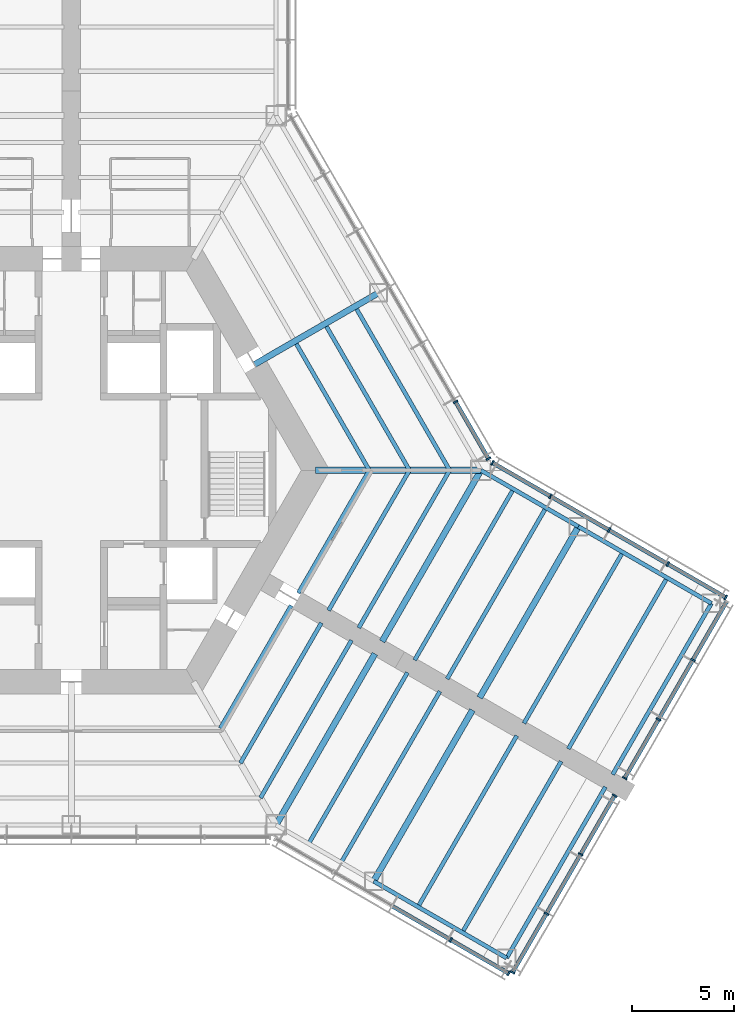
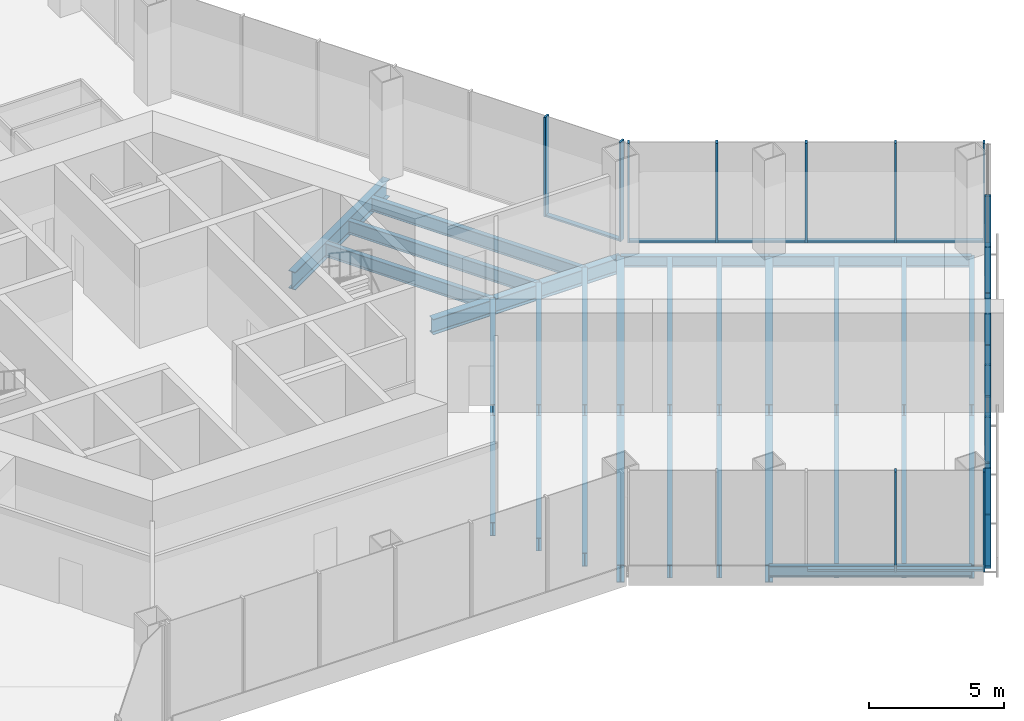
# One storey, part 4 of 13: 29 members, 28 beams, 5 elements without a shape of their own.
"""IFC4 building model written with IfcOpenShell, lengths in metres."""

from ifc_helpers import new_model, si_unit, direction, frame, origin, origin_2d, place, context, subcontext, project, spatial, rectangle, i_section, extrude, material, material_profile, profile_set, type_object, element, aggregate, save


model = new_model("IFC4")

# Units and contexts
model_context = context("Model", 3, precision=1e-05, world=origin(), true_north=direction((0.0, 1.0)))
body_context = subcontext(model_context, "Body", "Model", "MODEL_VIEW")
ifc_project = project(units=[si_unit("LENGTHUNIT", "METRE"), si_unit("AREAUNIT", "SQUARE_METRE"), si_unit("VOLUMEUNIT", "CUBIC_METRE"), si_unit("PLANEANGLEUNIT", "RADIAN"), si_unit("MASSUNIT", "GRAM", prefix="KILO")], contexts=[model_context])

# Site, building, storey
site_placement = place(None, origin())
site = spatial("IfcSite", under=ifc_project, at=site_placement, CompositionType="ELEMENT")
building_placement = place(site_placement, origin())
building = spatial("IfcBuilding", under=site, at=building_placement, Name="Kasaneha Research Tower", CompositionType="ELEMENT")
storey_placement = place(building_placement, frame((0.0, 0.0, 5.5)))
storey = spatial("IfcBuildingStorey", under=building, at=storey_placement, Name="L02", CompositionType="ELEMENT", Elevation=5.5)

# Beams
ifc_material_1 = material(Name="Steel SN490B", Category="steel")
ifc_material_profile_1 = material_profile(ifc_material_1, i_section(OverallWidth=0.199951171875, OverallDepth=0.60009765625, WebThickness=0.010986328125, FlangeThickness=0.01708984375, FilletRadius=0.012939453125, at=origin_2d()), Name="H-600x200x11x17")
ifc_profile_set_1 = profile_set([ifc_material_profile_1], Name="Steel SN490B")
beam_type_1 = type_object("IfcBeamType", Name="B1-1 secondary beam H-600x200x11x17", PredefinedType="JOIST", material=ifc_profile_set_1)
beam_1_placement = place(storey_placement, frame((14.54931640625, 0.0, -0.5), z_axis=(-0.500016104636, 0.866016105569, 0.0), x_axis=(-0.866016105569, -0.500016104636, 0.0)))
element("IfcBeam", 1, at=beam_1_placement, inside=storey, type_object=beam_type_1, Name="Secondary beam RS030L1 L02", PredefinedType="JOIST", context=body_context, shape_type="SweptSolid", body=[
    extrude(i_section(OverallWidth=0.199951171875, OverallDepth=0.60009765625, WebThickness=0.010986328125, FlangeThickness=0.01708984375, FilletRadius=0.012939453125, at=origin_2d()), origin(), (0.0, 0.0, 1.0), 7.124755859375),
])
beam_2_placement = place(storey_placement, frame((16.51220703125, 0.0, -0.5), z_axis=(-0.49999707157, 0.866027094508, 0.0), x_axis=(-0.866027094508, -0.49999707157, 0.0)))
element("IfcBeam", 2, at=beam_2_placement, inside=storey, type_object=beam_type_1, Name="Secondary beam RS030L2 L02", PredefinedType="JOIST", context=body_context, shape_type="SweptSolid", body=[
    extrude(i_section(OverallWidth=0.199951171875, OverallDepth=0.60009765625, WebThickness=0.010986328125, FlangeThickness=0.01708984375, FilletRadius=0.012939453125, at=origin_2d()), origin(), (0.0, 0.0, 1.0), 8.10595703125),
])
beam_3_placement = place(storey_placement, frame((18.47509765625, 0.0, -0.5), z_axis=(-0.499990665392, 0.866030793056, 0.0), x_axis=(-0.866030793056, -0.499990665392, 0.0)))
element("IfcBeam", 3, at=beam_3_placement, inside=storey, type_object=beam_type_1, Name="Secondary beam RS030L3 L02", PredefinedType="JOIST", context=body_context, shape_type="SweptSolid", body=[
    extrude(i_section(OverallWidth=0.199951171875, OverallDepth=0.60009765625, WebThickness=0.010986328125, FlangeThickness=0.01708984375, FilletRadius=0.012939453125, at=origin_2d()), origin(), (0.0, 0.0, 1.0), 9.087646484375),
])
beam_4_placement = place(storey_placement, frame((7.274658203125, -12.60009765625, -0.5), z_axis=(0.499972710878, 0.866041158593, 0.0), x_axis=(-0.866041158593, 0.499972710878, 0.0)))
element("IfcBeam", 4, at=beam_4_placement, inside=storey, type_object=beam_type_1, Name="Secondary beam RS330L1 L02", PredefinedType="JOIST", context=body_context, shape_type="SweptSolid", body=[
    extrude(i_section(OverallWidth=0.199951171875, OverallDepth=0.60009765625, WebThickness=0.010986328125, FlangeThickness=0.01708984375, FilletRadius=0.012939453125, at=origin_2d()), origin(), (0.0, 0.0, 1.0), 6.9248046875),
])
beam_5_placement = place(storey_placement, frame((8.256103515625, -14.300048828125, -0.5), z_axis=(0.500004902938, 0.866022573054, 0.0), x_axis=(-0.866022573054, 0.500004902938, 0.0)))
element("IfcBeam", 5, at=beam_5_placement, inside=storey, type_object=beam_type_1, Name="Secondary beam RS330L2 L02", PredefinedType="JOIST", context=body_context, shape_type="SweptSolid", body=[
    extrude(i_section(OverallWidth=0.199951171875, OverallDepth=0.60009765625, WebThickness=0.010986328125, FlangeThickness=0.01708984375, FilletRadius=0.012939453125, at=origin_2d()), origin(), (0.0, 0.0, 1.0), 7.90625),
])
beam_6_placement = place(storey_placement, frame((9.237548828125, -16.0, -0.5), z_axis=(0.500009382636, 0.866019986649, 0.0), x_axis=(-0.866019986649, 0.500009382636, 0.0)))
element("IfcBeam", 6, at=beam_6_placement, inside=storey, type_object=beam_type_1, Name="Secondary beam RS330L3 L02", PredefinedType="JOIST", context=body_context, shape_type="SweptSolid", body=[
    extrude(i_section(OverallWidth=0.199951171875, OverallDepth=0.60009765625, WebThickness=0.010986328125, FlangeThickness=0.01708984375, FilletRadius=0.012939453125, at=origin_2d()), origin(), (0.0, 0.0, 1.0), 8.887451171875),
])
beam_7_placement = place(storey_placement, frame((14.54931640625, 0.0, -0.5), z_axis=(-0.500014420154, -0.866017078145, 0.0), x_axis=(0.866017078145, -0.500014420154, 0.0)))
element("IfcBeam", 7, at=beam_7_placement, inside=storey, type_object=beam_type_1, Name="Secondary beam RS330R1 L02", PredefinedType="JOIST", context=body_context, shape_type="SweptSolid", body=[
    extrude(i_section(OverallWidth=0.199951171875, OverallDepth=0.60009765625, WebThickness=0.010986328125, FlangeThickness=0.01708984375, FilletRadius=0.012939453125, at=origin_2d()), origin(), (0.0, 0.0, 1.0), 6.924560546875),
])
beam_8_placement = place(storey_placement, frame((16.51220703125, 0.0, -0.5), z_axis=(-0.500004902938, -0.866022573054, 0.0), x_axis=(0.866022573054, -0.500004902938, 0.0)))
element("IfcBeam", 8, at=beam_8_placement, inside=storey, type_object=beam_type_1, Name="Secondary beam RS330R2 L02", PredefinedType="JOIST", context=body_context, shape_type="SweptSolid", body=[
    extrude(i_section(OverallWidth=0.199951171875, OverallDepth=0.60009765625, WebThickness=0.010986328125, FlangeThickness=0.01708984375, FilletRadius=0.012939453125, at=origin_2d()), origin(), (0.0, 0.0, 1.0), 7.90625),
])
beam_9_placement = place(storey_placement, frame((18.47509765625, 0.0, -0.5), z_axis=(-0.499988779951, -0.866031881586, 0.0), x_axis=(0.866031881586, -0.499988779951, 0.0)))
element("IfcBeam", 9, at=beam_9_placement, inside=storey, type_object=beam_type_1, Name="Secondary beam RS330R3 L02", PredefinedType="JOIST", context=body_context, shape_type="SweptSolid", body=[
    extrude(i_section(OverallWidth=0.199951171875, OverallDepth=0.60009765625, WebThickness=0.010986328125, FlangeThickness=0.01708984375, FilletRadius=0.012939453125, at=origin_2d()), origin(), (0.0, 0.0, 1.0), 8.887451171875),
])
ifc_material_2 = material(Name="Steel SN490B", Category="steel")
ifc_material_profile_2 = material_profile(ifc_material_2, i_section(OverallWidth=0.198974609375, OverallDepth=0.595947265625, WebThickness=0.010009765625, FlangeThickness=0.014892578125, FilletRadius=0.012939453125, at=origin_2d()), Name="H-596x199x10x15")
ifc_profile_set_2 = profile_set([ifc_material_profile_2], Name="Steel SN490B")
beam_type_2 = type_object("IfcBeamType", Name="B2-1 secondary beam H-596x199x10x15", PredefinedType="JOIST", material=ifc_profile_set_2)
for number, where, z_axis, x_axis, name in (
    (10, (11.587646484375, -18.237060546875, -0.498046875), (0.50000569793, 0.866022114058, 0.0), (-0.866022114058, 0.50000569793, 0.0), "Secondary beam WBCP1 L02"),
    (11, (13.175537109375, -19.15380859375, -0.498046875), (0.499994742786, 0.866028439017, 0.0), (-0.866028439017, 0.499994742786, 0.0), "Secondary beam WBCP2 L02"),
    (12, (16.92822265625, -21.320556640625, -0.498046875), (0.499994742786, 0.866028439017, 0.0), (-0.866028439017, 0.499994742786, 0.0), "Secondary beam WBCP3 L02"),
    (13, (19.09326171875, -22.570556640625, -0.498046875), (0.499994742786, 0.866028439017, 0.0), (-0.866028439017, 0.499994742786, 0.0), "Secondary beam WBCP4 L02"),
    (14, (21.587646484375, -0.916748046875, -0.498046875), (-0.499994742786, -0.866028439017, 0.0), (0.866028439017, -0.499994742786, 0.0), "Secondary beam WBCN1 L02"),
):
    element("IfcBeam", number, at=place(storey_placement, frame(where, z_axis=z_axis, x_axis=x_axis)), inside=storey, type_object=beam_type_2, Name=name, PredefinedType="JOIST", context=body_context, shape_type="SweptSolid", body=[
        extrude(i_section(OverallWidth=0.198974609375, OverallDepth=0.595947265625, WebThickness=0.010009765625, FlangeThickness=0.014892578125, FilletRadius=0.012939453125, at=origin_2d()), origin(), (0.0, 0.0, 1.0), 9.64990234375),
    ])
beam_10_placement = place(storey_placement, frame((23.175537109375, -1.833251953125, -0.498046875), z_axis=(-0.500013717211, -0.866017484004, 0.0), x_axis=(0.866017484004, -0.500013717211, 0.0)))
element("IfcBeam", 15, at=beam_10_placement, inside=storey, type_object=beam_type_2, Name="Secondary beam WBCN2 L02", PredefinedType="JOIST", context=body_context, shape_type="SweptSolid", body=[
    extrude(i_section(OverallWidth=0.198974609375, OverallDepth=0.595947265625, WebThickness=0.010009765625, FlangeThickness=0.014892578125, FilletRadius=0.012939453125, at=origin_2d()), origin(), (0.0, 0.0, 1.0), 9.650146484375),
])
for number, where, z_axis, x_axis, name in (
    (16, (26.92822265625, -4.0, -0.498046875), (-0.499994742786, -0.866028439017, 0.0), (0.866028439017, -0.499994742786, 0.0), "Secondary beam WBCN3 L02"),
    (17, (29.09326171875, -5.25, -0.498046875), (-0.499994742786, -0.866028439017, 0.0), (0.866028439017, -0.499994742786, 0.0), "Secondary beam WBCN4 L02"),
):
    element("IfcBeam", number, at=place(storey_placement, frame(where, z_axis=z_axis, x_axis=x_axis)), inside=storey, type_object=beam_type_2, Name=name, PredefinedType="JOIST", context=body_context, shape_type="SweptSolid", body=[
        extrude(i_section(OverallWidth=0.198974609375, OverallDepth=0.595947265625, WebThickness=0.010009765625, FlangeThickness=0.014892578125, FilletRadius=0.012939453125, at=origin_2d()), origin(), (0.0, 0.0, 1.0), 9.64990234375),
    ])

# Curtain wall, members
ifc_material_3 = material(Name="Glass and aluminium", Category="aluminium")
curtain_wall_type = type_object("IfcCurtainWallType", Name="Entrance hall curtain wall", PredefinedType="USERDEFINED", material=ifc_material_3)
curtain_wall_1_placement = place(storey_placement, origin())
curtain_wall_1 = element("IfcCurtainWall", 18, at=curtain_wall_1_placement, inside=storey, type_object=curtain_wall_type, Name="CW-H L02 run 03a", ObjectType="UNITISED CURTAIN WALL", PredefinedType="USERDEFINED")
ifc_material_4 = material(Name="Aluminium 6063-T6", Category="aluminium")
ifc_material_profile_3 = material_profile(ifc_material_4, rectangle(XDim=0.080078125, YDim=0.25, at=origin_2d()), Name="CW-H mullion 80x250")
ifc_profile_set_3 = profile_set([ifc_material_profile_3], Name="Aluminium 6063-T6")
member_type_1 = type_object("IfcMemberType", Name="CW-H mullion", PredefinedType="MULLION", material=ifc_profile_set_3)
member_1_placement = place(storey_placement, frame((18.52490234375, -22.935302734375, 0.0), z_axis=(0.0, 0.0, 1.0), x_axis=(0.866025411464, -0.499999986699, 0.0)))
member_1 = element("IfcMember", 19, at=member_1_placement, type_object=member_type_1, Name="CW-H mullion 4", PredefinedType="MULLION", context=body_context, shape_type="SweptSolid", body=[
    extrude(rectangle(XDim=0.080078125, YDim=0.25, at=origin_2d()), origin(), (0.0, 0.0, 1.0), 4.5),
])
member_2_placement = place(storey_placement, frame((21.356689453125, -24.570068359375, 0.0), z_axis=(0.0, 0.0, 1.0), x_axis=(0.866025411464, -0.499999986699, 0.0)))
member_2 = element("IfcMember", 20, at=member_2_placement, type_object=member_type_1, Name="CW-H mullion 5", PredefinedType="MULLION", context=body_context, shape_type="SweptSolid", body=[
    extrude(rectangle(XDim=0.080078125, YDim=0.25, at=origin_2d()), origin(), (0.0, 0.0, 1.0), 4.5),
])

curtain_wall_2_placement = place(storey_placement, origin())
curtain_wall_2 = element("IfcCurtainWall", 21, at=curtain_wall_2_placement, inside=storey, type_object=curtain_wall_type, Name="CW-H L02 run 04a", ObjectType="UNITISED CURTAIN WALL", PredefinedType="USERDEFINED")
member_3_placement = place(storey_placement, frame((21.5478515625, -24.518798828125, 0.0), z_axis=(0.0, 0.0, 1.0), x_axis=(0.500000011442, 0.866025397178, 0.0)))
member_3 = element("IfcMember", 22, at=member_3_placement, type_object=member_type_1, Name="CW-H mullion 1", PredefinedType="MULLION", context=body_context, shape_type="SweptSolid", body=[
    extrude(rectangle(XDim=0.080078125, YDim=0.25, at=origin_2d()), origin(), (0.0, 0.0, 1.0), 4.5),
])
member_4_placement = place(storey_placement, frame((23.202880859375, -21.65234375, 0.0), z_axis=(0.0, 0.0, 1.0), x_axis=(0.500000011442, 0.866025397178, 0.0)))
member_4 = element("IfcMember", 23, at=member_4_placement, type_object=member_type_1, Name="CW-H mullion 2", PredefinedType="MULLION", context=body_context, shape_type="SweptSolid", body=[
    extrude(rectangle(XDim=0.080078125, YDim=0.25, at=origin_2d()), origin(), (0.0, 0.0, 1.0), 4.5),
])
member_5_placement = place(storey_placement, frame((24.8779296875, -18.751220703125, 0.0), z_axis=(0.0, 0.0, 1.0), x_axis=(0.500000011442, 0.866025397178, 0.0)))
member_5 = element("IfcMember", 24, at=member_5_placement, type_object=member_type_1, Name="CW-H mullion 3", PredefinedType="MULLION", context=body_context, shape_type="SweptSolid", body=[
    extrude(rectangle(XDim=0.080078125, YDim=0.25, at=origin_2d()), origin(), (0.0, 0.0, 1.0), 4.5),
])
member_6_placement = place(storey_placement, frame((26.532958984375, -15.884521484375, 0.0), z_axis=(0.0, 0.0, 1.0), x_axis=(0.500000011442, 0.866025397178, 0.0)))
member_6 = element("IfcMember", 25, at=member_6_placement, type_object=member_type_1, Name="CW-H mullion 4", PredefinedType="MULLION", context=body_context, shape_type="SweptSolid", body=[
    extrude(rectangle(XDim=0.080078125, YDim=0.25, at=origin_2d()), origin(), (0.0, 0.0, 1.0), 4.5),
])

curtain_wall_3_placement = place(storey_placement, origin())
curtain_wall_3 = element("IfcCurtainWall", 26, at=curtain_wall_3_placement, inside=storey, type_object=curtain_wall_type, Name="CW-H L02 run 05a", ObjectType="UNITISED CURTAIN WALL", PredefinedType="USERDEFINED")
member_7_placement = place(storey_placement, frame((27.02294921875, -15.035888671875, 0.0), z_axis=(0.0, 0.0, 1.0), x_axis=(0.500000011442, 0.866025397178, 0.0)))
member_7 = element("IfcMember", 27, at=member_7_placement, type_object=member_type_1, Name="CW-H mullion 1", PredefinedType="MULLION", context=body_context, shape_type="SweptSolid", body=[
    extrude(rectangle(XDim=0.080078125, YDim=0.25, at=origin_2d()), origin(), (0.0, 0.0, 1.0), 4.5),
])
member_8_placement = place(storey_placement, frame((28.677978515625, -12.16943359375, 0.0), z_axis=(0.0, 0.0, 1.0), x_axis=(0.500000011442, 0.866025397178, 0.0)))
member_8 = element("IfcMember", 28, at=member_8_placement, type_object=member_type_1, Name="CW-H mullion 2", PredefinedType="MULLION", context=body_context, shape_type="SweptSolid", body=[
    extrude(rectangle(XDim=0.080078125, YDim=0.25, at=origin_2d()), origin(), (0.0, 0.0, 1.0), 4.5),
])
member_9_placement = place(storey_placement, frame((30.35302734375, -9.26806640625, 0.0), z_axis=(0.0, 0.0, 1.0), x_axis=(0.500000011442, 0.866025397178, 0.0)))
member_9 = element("IfcMember", 29, at=member_9_placement, type_object=member_type_1, Name="CW-H mullion 3", PredefinedType="MULLION", context=body_context, shape_type="SweptSolid", body=[
    extrude(rectangle(XDim=0.080078125, YDim=0.25, at=origin_2d()), origin(), (0.0, 0.0, 1.0), 4.5),
])

curtain_wall_4_placement = place(storey_placement, origin())
curtain_wall_4 = element("IfcCurtainWall", 30, at=curtain_wall_4_placement, inside=storey, type_object=curtain_wall_type, Name="CW-H L02 run 06a", ObjectType="UNITISED CURTAIN WALL", PredefinedType="USERDEFINED")
member_10_placement = place(storey_placement, frame((31.956787109375, -6.21044921875, 0.0), z_axis=(0.0, 0.0, 1.0), x_axis=(-0.866025411464, 0.499999986699, 0.0)))
member_10 = element("IfcMember", 31, at=member_10_placement, type_object=member_type_1, Name="CW-H mullion 1", PredefinedType="MULLION", context=body_context, shape_type="SweptSolid", body=[
    extrude(rectangle(XDim=0.080078125, YDim=0.25, at=origin_2d()), origin(), (0.0, 0.0, 1.0), 4.5),
])
member_11_placement = place(storey_placement, frame((29.125, -4.575439453125, 0.0), z_axis=(0.0, 0.0, 1.0), x_axis=(-0.866025411464, 0.499999986699, 0.0)))
member_11 = element("IfcMember", 32, at=member_11_placement, type_object=member_type_1, Name="CW-H mullion 2", PredefinedType="MULLION", context=body_context, shape_type="SweptSolid", body=[
    extrude(rectangle(XDim=0.080078125, YDim=0.25, at=origin_2d()), origin(), (0.0, 0.0, 1.0), 4.5),
])
member_12_placement = place(storey_placement, frame((26.258544921875, -2.920654296875, 0.0), z_axis=(0.0, 0.0, 1.0), x_axis=(-0.866025411464, 0.499999986699, 0.0)))
member_12 = element("IfcMember", 33, at=member_12_placement, type_object=member_type_1, Name="CW-H mullion 3", PredefinedType="MULLION", context=body_context, shape_type="SweptSolid", body=[
    extrude(rectangle(XDim=0.080078125, YDim=0.25, at=origin_2d()), origin(), (0.0, 0.0, 1.0), 4.5),
])
member_13_placement = place(storey_placement, frame((23.39208984375, -1.265625, 0.0), z_axis=(0.0, 0.0, 1.0), x_axis=(-0.866025411464, 0.499999986699, 0.0)))
member_13 = element("IfcMember", 34, at=member_13_placement, type_object=member_type_1, Name="CW-H mullion 4", PredefinedType="MULLION", context=body_context, shape_type="SweptSolid", body=[
    extrude(rectangle(XDim=0.080078125, YDim=0.25, at=origin_2d()), origin(), (0.0, 0.0, 1.0), 4.5),
])
member_14_placement = place(storey_placement, frame((20.560546875, 0.369140625, 0.0), z_axis=(0.0, 0.0, 1.0), x_axis=(-0.866025411464, 0.499999986699, 0.0)))
member_14 = element("IfcMember", 35, at=member_14_placement, type_object=member_type_1, Name="CW-H mullion 5", PredefinedType="MULLION", context=body_context, shape_type="SweptSolid", body=[
    extrude(rectangle(XDim=0.080078125, YDim=0.25, at=origin_2d()), origin(), (0.0, 0.0, 1.0), 4.5),
])

curtain_wall_5_placement = place(storey_placement, origin())
curtain_wall_5 = element("IfcCurtainWall", 36, at=curtain_wall_5_placement, inside=storey, type_object=curtain_wall_type, Name="CW-H L02 run 07a", ObjectType="UNITISED CURTAIN WALL", PredefinedType="USERDEFINED")
member_15_placement = place(storey_placement, frame((20.369140625, 0.560546875, 0.0), z_axis=(0.0, 0.0, 1.0), x_axis=(-0.49999996188, 0.866025425793, 0.0)))
member_15 = element("IfcMember", 37, at=member_15_placement, type_object=member_type_1, Name="CW-H mullion 1", PredefinedType="MULLION", context=body_context, shape_type="SweptSolid", body=[
    extrude(rectangle(XDim=0.080078125, YDim=0.25, at=origin_2d()), origin(), (0.0, 0.0, 1.0), 4.5),
])
member_16_placement = place(storey_placement, frame((18.76611328125, 3.33740234375, 0.0), z_axis=(0.0, 0.0, 1.0), x_axis=(-0.49999996188, 0.866025425793, 0.0)))
member_16 = element("IfcMember", 38, at=member_16_placement, type_object=member_type_1, Name="CW-H mullion 2", PredefinedType="MULLION", context=body_context, shape_type="SweptSolid", body=[
    extrude(rectangle(XDim=0.080078125, YDim=0.25, at=origin_2d()), origin(), (0.0, 0.0, 1.0), 4.5),
])

# Member
ifc_material_5 = material(Name="Aluminium 6063-T6", Category="aluminium")
ifc_material_profile_4 = material_profile(ifc_material_5, rectangle(XDim=0.199951171875, YDim=0.080078125, at=origin_2d()), Name="CW-H transom 200x80")
ifc_profile_set_4 = profile_set([ifc_material_profile_4], Name="Aluminium 6063-T6")
member_type_2 = type_object("IfcMemberType", Name="CW-H transom", PredefinedType="USERDEFINED", material=ifc_profile_set_4)
member_17_placement = place(storey_placement, frame((15.693115234375, -21.30029296875, 0.0400390625), z_axis=(0.866015650984, -0.500016891966, 0.0), x_axis=(0.500016891966, 0.866015650984, 0.0)))
member_17 = element("IfcMember", 39, at=member_17_placement, type_object=member_type_2, Name="CW-H transom 3", ObjectType="TRANSOM", PredefinedType="USERDEFINED", context=body_context, shape_type="SweptSolid", body=[
    extrude(rectangle(XDim=0.199951171875, YDim=0.080078125, at=origin_2d()), origin(), (0.0, 0.0, 1.0), 3.22998046875),
])

member_18_placement = place(storey_placement, frame((18.5595703125, -22.955322265625, 0.0400390625), z_axis=(0.866049209109, -0.499958765701, 0.0), x_axis=(0.499958765701, 0.866049209109, 0.0)))
member_18 = element("IfcMember", 40, at=member_18_placement, type_object=member_type_2, Name="CW-H transom 4", ObjectType="TRANSOM", PredefinedType="USERDEFINED", context=body_context, shape_type="SweptSolid", body=[
    extrude(rectangle(XDim=0.199951171875, YDim=0.080078125, at=origin_2d()), origin(), (0.0, 0.0, 1.0), 3.189697265625),
])

aggregate(curtain_wall_1, [member_1, member_2, member_17, member_18])

member_19_placement = place(storey_placement, frame((21.56787109375, -24.484130859375, 0.0400390625), z_axis=(0.500016891966, 0.866015650984, 0.0), x_axis=(-0.866015650984, 0.500016891966, 0.0)))
member_19 = element("IfcMember", 41, at=member_19_placement, type_object=member_type_2, Name="CW-H transom 1", ObjectType="TRANSOM", PredefinedType="USERDEFINED", context=body_context, shape_type="SweptSolid", body=[
    extrude(rectangle(XDim=0.199951171875, YDim=0.080078125, at=origin_2d()), origin(), (0.0, 0.0, 1.0), 3.22998046875),
])

member_20_placement = place(storey_placement, frame((23.222900390625, -21.61767578125, 0.0400390625), z_axis=(0.500017595764, 0.866015244627, 0.0), x_axis=(-0.866015244627, 0.500017595764, 0.0)))
member_20 = element("IfcMember", 42, at=member_20_placement, type_object=member_type_2, Name="CW-H transom 2", ObjectType="TRANSOM", PredefinedType="USERDEFINED", context=body_context, shape_type="SweptSolid", body=[
    extrude(rectangle(XDim=0.199951171875, YDim=0.080078125, at=origin_2d()), origin(), (0.0, 0.0, 1.0), 3.27001953125),
])

member_21_placement = place(storey_placement, frame((24.89794921875, -18.716552734375, 0.0400390625), z_axis=(0.499984162302, 0.866034547491, 0.0), x_axis=(-0.866034547491, 0.499984162302, 0.0)))
member_21 = element("IfcMember", 43, at=member_21_placement, type_object=member_type_2, Name="CW-H transom 3", ObjectType="TRANSOM", PredefinedType="USERDEFINED", context=body_context, shape_type="SweptSolid", body=[
    extrude(rectangle(XDim=0.199951171875, YDim=0.080078125, at=origin_2d()), origin(), (0.0, 0.0, 1.0), 3.22998046875),
])

aggregate(curtain_wall_2, [member_3, member_4, member_5, member_6, member_19, member_20, member_21])

member_22_placement = place(storey_placement, frame((27.04296875, -15.001220703125, 0.0400390625), z_axis=(0.500016891966, 0.866015650984, 0.0), x_axis=(-0.866015650984, 0.500016891966, 0.0)))
member_22 = element("IfcMember", 44, at=member_22_placement, type_object=member_type_2, Name="CW-H transom 1", ObjectType="TRANSOM", PredefinedType="USERDEFINED", context=body_context, shape_type="SweptSolid", body=[
    extrude(rectangle(XDim=0.199951171875, YDim=0.080078125, at=origin_2d()), origin(), (0.0, 0.0, 1.0), 3.22998046875),
])

member_23_placement = place(storey_placement, frame((28.697998046875, -12.134765625, 0.0400390625), z_axis=(0.499985266753, 0.866033909861, 0.0), x_axis=(-0.866033909861, 0.499985266753, 0.0)))
member_23 = element("IfcMember", 45, at=member_23_placement, type_object=member_type_2, Name="CW-H transom 2", ObjectType="TRANSOM", PredefinedType="USERDEFINED", context=body_context, shape_type="SweptSolid", body=[
    extrude(rectangle(XDim=0.199951171875, YDim=0.080078125, at=origin_2d()), origin(), (0.0, 0.0, 1.0), 3.27001953125),
])

member_24_placement = place(storey_placement, frame((30.373046875, -9.233642578125, 0.0400390625), z_axis=(0.499984162302, 0.866034547491, 0.0), x_axis=(-0.866034547491, 0.499984162302, 0.0)))
member_24 = element("IfcMember", 46, at=member_24_placement, type_object=member_type_2, Name="CW-H transom 3", ObjectType="TRANSOM", PredefinedType="USERDEFINED", context=body_context, shape_type="SweptSolid", body=[
    extrude(rectangle(XDim=0.199951171875, YDim=0.080078125, at=origin_2d()), origin(), (0.0, 0.0, 1.0), 3.22998046875),
])

aggregate(curtain_wall_3, [member_7, member_8, member_9, member_22, member_23, member_24])

member_25_placement = place(storey_placement, frame((31.922119140625, -6.1904296875, 0.0400390625), z_axis=(-0.866016067539, 0.500016170502, 0.0), x_axis=(-0.500016170502, -0.866016067539, 0.0)))
member_25 = element("IfcMember", 47, at=member_25_placement, type_object=member_type_2, Name="CW-H transom 1", ObjectType="TRANSOM", PredefinedType="USERDEFINED", context=body_context, shape_type="SweptSolid", body=[
    extrude(rectangle(XDim=0.199951171875, YDim=0.080078125, at=origin_2d()), origin(), (0.0, 0.0, 1.0), 3.18994140625),
])

member_26_placement = place(storey_placement, frame((29.09033203125, -4.555419921875, 0.0400390625), z_axis=(-0.866048381815, 0.499960198771, 0.0), x_axis=(-0.499960198771, -0.866048381815, 0.0)))
member_26 = element("IfcMember", 48, at=member_26_placement, type_object=member_type_2, Name="CW-H transom 2", ObjectType="TRANSOM", PredefinedType="USERDEFINED", context=body_context, shape_type="SweptSolid", body=[
    extrude(rectangle(XDim=0.199951171875, YDim=0.080078125, at=origin_2d()), origin(), (0.0, 0.0, 1.0), 3.229736328125),
])

member_27_placement = place(storey_placement, frame((26.223876953125, -2.900634765625, 0.0400390625), z_axis=(-0.866015650984, 0.500016891966, 0.0), x_axis=(-0.500016891966, -0.866015650984, 0.0)))
member_27 = element("IfcMember", 49, at=member_27_placement, type_object=member_type_2, Name="CW-H transom 3", ObjectType="TRANSOM", PredefinedType="USERDEFINED", context=body_context, shape_type="SweptSolid", body=[
    extrude(rectangle(XDim=0.199951171875, YDim=0.080078125, at=origin_2d()), origin(), (0.0, 0.0, 1.0), 3.22998046875),
])

member_28_placement = place(storey_placement, frame((23.357666015625, -1.24560546875, 0.0400390625), z_axis=(-0.866049209109, 0.499958765701, 0.0), x_axis=(-0.499958765701, -0.866049209109, 0.0)))
member_28 = element("IfcMember", 50, at=member_28_placement, type_object=member_type_2, Name="CW-H transom 4", ObjectType="TRANSOM", PredefinedType="USERDEFINED", context=body_context, shape_type="SweptSolid", body=[
    extrude(rectangle(XDim=0.199951171875, YDim=0.080078125, at=origin_2d()), origin(), (0.0, 0.0, 1.0), 3.189697265625),
])

aggregate(curtain_wall_4, [member_10, member_11, member_12, member_13, member_14, member_25, member_26, member_27, member_28])

member_29_placement = place(storey_placement, frame((20.34912109375, 0.59521484375, 0.0400390625), z_axis=(-0.499952294954, 0.866052944554, 0.0), x_axis=(-0.866052944554, -0.499952294954, 0.0)))
member_29 = element("IfcMember", 51, at=member_29_placement, type_object=member_type_2, Name="CW-H transom 1", ObjectType="TRANSOM", PredefinedType="USERDEFINED", context=body_context, shape_type="SweptSolid", body=[
    extrude(rectangle(XDim=0.199951171875, YDim=0.080078125, at=origin_2d()), origin(), (0.0, 0.0, 1.0), 3.126220703125),
])

aggregate(curtain_wall_5, [member_15, member_16, member_29])

# Beams
ifc_material_6 = material(Name="Steel SN490B", Category="steel")
ifc_material_profile_5 = material_profile(ifc_material_6, i_section(OverallWidth=0.300048828125, OverallDepth=0.699951171875, WebThickness=0.012939453125, FlangeThickness=0.02392578125, FilletRadius=0.01806640625, at=origin_2d()), Name="H-700x300x13x24")
ifc_profile_set_5 = profile_set([ifc_material_profile_5], Name="Steel SN490B")
beam_type_3 = type_object("IfcBeamType", Name="G1-1 radial girder H-700x300x13x24", PredefinedType="BEAM", material=ifc_profile_set_5)
beam_11_placement = place(storey_placement, frame((11.92236328125, 0.0, -0.550048828125), z_axis=(1.0, 0.0, 0.0), x_axis=(0.0, 1.0, 0.0)))
element("IfcBeam", 52, at=beam_11_placement, inside=storey, type_object=beam_type_3, Name="Radial girder RV000 L02", PredefinedType="BEAM", context=body_context, shape_type="SweptSolid", body=[
    extrude(i_section(OverallWidth=0.300048828125, OverallDepth=0.699951171875, WebThickness=0.012939453125, FlangeThickness=0.02392578125, FilletRadius=0.01806640625, at=origin_2d()), origin(), (0.0, 0.0, 1.0), 8.07763671875),
])
ifc_material_7 = material(Name="Steel SN490B", Category="steel")
ifc_material_profile_6 = material_profile(ifc_material_7, i_section(OverallWidth=0.300048828125, OverallDepth=0.800048828125, WebThickness=0.013916015625, FlangeThickness=0.02587890625, FilletRadius=0.01806640625, at=origin_2d()), Name="H-800x300x14x26")
ifc_profile_set_6 = profile_set([ifc_material_profile_6], Name="Steel SN490B")
beam_type_4 = type_object("IfcBeamType", Name="G2-1 radial girder H-800x300x14x26", PredefinedType="BEAM", material=ifc_profile_set_6)
beam_12_placement = place(storey_placement, frame((8.941650390625, 5.16259765625, -0.60009765625), z_axis=(0.866039713508, 0.499975214012, 0.0), x_axis=(-0.499975214012, 0.866039713508, 0.0)))
element("IfcBeam", 53, at=beam_12_placement, inside=storey, type_object=beam_type_4, Name="Radial girder RM030 L02", PredefinedType="BEAM", context=body_context, shape_type="SweptSolid", body=[
    extrude(i_section(OverallWidth=0.300048828125, OverallDepth=0.800048828125, WebThickness=0.013916015625, FlangeThickness=0.02587890625, FilletRadius=0.01806640625, at=origin_2d()), origin(), (0.0, 0.0, 1.0), 6.995361328125),
])
ifc_material_8 = material(Name="Steel SN490B", Category="steel")
ifc_material_profile_7 = material_profile(ifc_material_8, i_section(OverallWidth=0.300048828125, OverallDepth=0.7919921875, WebThickness=0.013916015625, FlangeThickness=0.02197265625, FilletRadius=0.01806640625, at=origin_2d()), Name="H-792x300x14x22")
ifc_profile_set_7 = profile_set([ifc_material_profile_7], Name="Steel SN490B")
beam_type_5 = type_object("IfcBeamType", Name="G3-1 plate edge girder H-792x300x14x22", PredefinedType="BEAM", material=ifc_profile_set_7)
for number, where, z_axis, x_axis, name in (
    (54, (10.0, -17.320556640625, -0.595947265625), (0.499994742786, 0.866028439017, 0.0), (-0.866028439017, 0.499994742786, 0.0), "Plate edge girder PECP L02"),
    (55, (20.0, 0.0, -0.595947265625), (-0.499994742786, -0.866028439017, 0.0), (0.866028439017, -0.499994742786, 0.0), "Plate edge girder PECN L02"),
):
    element("IfcBeam", number, at=place(storey_placement, frame(where, z_axis=z_axis, x_axis=x_axis)), inside=storey, type_object=beam_type_5, Name=name, PredefinedType="BEAM", context=body_context, shape_type="SweptSolid", body=[
        extrude(i_section(OverallWidth=0.300048828125, OverallDepth=0.7919921875, WebThickness=0.013916015625, FlangeThickness=0.02197265625, FilletRadius=0.01806640625, at=origin_2d()), origin(), (0.0, 0.0, 1.0), 9.64990234375),
    ])
ifc_material_9 = material(Name="Steel SN490B", Category="steel")
ifc_material_profile_8 = material_profile(ifc_material_9, i_section(OverallWidth=0.300048828125, OverallDepth=0.800048828125, WebThickness=0.013916015625, FlangeThickness=0.02587890625, FilletRadius=0.01806640625, at=origin_2d()), Name="H-800x300x14x26")
ifc_profile_set_8 = profile_set([ifc_material_profile_8], Name="Steel SN490B")
beam_type_6 = type_object("IfcBeamType", Name="G4-1 wing girder H-800x300x14x26", PredefinedType="BEAM", material=ifc_profile_set_8)
for number, where, z_axis, x_axis, name in (
    (56, (14.76318359375, -20.070556640625, -0.60009765625), (0.499994742786, 0.866028439017, 0.0), (-0.866028439017, 0.499994742786, 0.0), "Wing girder WGCP L02"),
    (57, (24.76318359375, -2.75, -0.60009765625), (-0.499994742786, -0.866028439017, 0.0), (0.866028439017, -0.499994742786, 0.0), "Wing girder WGCN L02"),
):
    element("IfcBeam", number, at=place(storey_placement, frame(where, z_axis=z_axis, x_axis=x_axis)), inside=storey, type_object=beam_type_6, Name=name, PredefinedType="BEAM", context=body_context, shape_type="SweptSolid", body=[
        extrude(i_section(OverallWidth=0.300048828125, OverallDepth=0.800048828125, WebThickness=0.013916015625, FlangeThickness=0.02587890625, FilletRadius=0.01806640625, at=origin_2d()), origin(), (0.0, 0.0, 1.0), 9.64990234375),
    ])
ifc_material_10 = material(Name="Steel SN490B", Category="steel")
ifc_material_profile_9 = material_profile(ifc_material_10, i_section(OverallWidth=0.199951171875, OverallDepth=0.5, WebThickness=0.010009765625, FlangeThickness=0.01611328125, FilletRadius=0.012939453125, at=origin_2d()), Name="H-500x200x10x16")
ifc_profile_set_9 = profile_set([ifc_material_profile_9], Name="Steel SN490B")
beam_type_7 = type_object("IfcBeamType", Name="SB2-1 spandrel beam H-500x200x10x16", PredefinedType="SPANDREL", material=ifc_profile_set_9)
beam_13_placement = place(storey_placement, frame((14.76318359375, -20.070556640625, -0.449951171875), z_axis=(0.866022959057, -0.500004234368, 0.0), x_axis=(0.500004234368, 0.866022959057, 0.0)))
element("IfcBeam", 58, at=beam_13_placement, inside=storey, type_object=beam_type_7, Name="Spandrel beam WSCP2 L02", PredefinedType="SPANDREL", context=body_context, shape_type="SweptSolid", body=[
    extrude(i_section(OverallWidth=0.199951171875, OverallDepth=0.5, WebThickness=0.010009765625, FlangeThickness=0.01611328125, FilletRadius=0.012939453125, at=origin_2d()), origin(), (0.0, 0.0, 1.0), 7.5),
])
beam_14_placement = place(storey_placement, frame((20.0, 0.0, -0.449951171875), z_axis=(0.866027397988, -0.499996545922, 0.0), x_axis=(0.499996545922, 0.866027397988, 0.0)))
element("IfcBeam", 59, at=beam_14_placement, inside=storey, type_object=beam_type_7, Name="Spandrel beam WSCN1 L02", PredefinedType="SPANDREL", context=body_context, shape_type="SweptSolid", body=[
    extrude(i_section(OverallWidth=0.199951171875, OverallDepth=0.5, WebThickness=0.010009765625, FlangeThickness=0.01611328125, FilletRadius=0.012939453125, at=origin_2d()), origin(), (0.0, 0.0, 1.0), 5.5),
])
beam_15_placement = place(storey_placement, frame((24.76318359375, -2.75, -0.449951171875), z_axis=(0.866022959057, -0.500004234368, 0.0), x_axis=(0.500004234368, 0.866022959057, 0.0)))
element("IfcBeam", 60, at=beam_15_placement, inside=storey, type_object=beam_type_7, Name="Spandrel beam WSCN2 L02", PredefinedType="SPANDREL", context=body_context, shape_type="SweptSolid", body=[
    extrude(i_section(OverallWidth=0.199951171875, OverallDepth=0.5, WebThickness=0.010009765625, FlangeThickness=0.01611328125, FilletRadius=0.012939453125, at=origin_2d()), origin(), (0.0, 0.0, 1.0), 7.5),
])
ifc_material_11 = material(Name="Steel SN490B", Category="steel")
ifc_material_profile_10 = material_profile(ifc_material_11, i_section(OverallWidth=0.199951171875, OverallDepth=0.60009765625, WebThickness=0.010986328125, FlangeThickness=0.01708984375, FilletRadius=0.012939453125, at=origin_2d()), Name="H-600x200x11x17")
ifc_profile_set_10 = profile_set([ifc_material_profile_10], Name="Steel SN490B")
beam_type_8 = type_object("IfcBeamType", Name="SB3-1 spandrel beam H-600x200x11x17", PredefinedType="SPANDREL", material=ifc_profile_set_10)
for number, where, z_axis, x_axis, name in (
    (61, (21.25830078125, -23.820556640625, -0.5), (0.499994742786, 0.866028439017, 0.0), (-0.866028439017, 0.499994742786, 0.0), "Spandrel beam WTCP L02"),
    (62, (31.25830078125, -6.5, -0.5), (-0.499994742786, -0.866028439017, 0.0), (0.866028439017, -0.499994742786, 0.0), "Spandrel beam WTCN L02"),
):
    element("IfcBeam", number, at=place(storey_placement, frame(where, z_axis=z_axis, x_axis=x_axis)), inside=storey, type_object=beam_type_8, Name=name, PredefinedType="SPANDREL", context=body_context, shape_type="SweptSolid", body=[
        extrude(i_section(OverallWidth=0.199951171875, OverallDepth=0.60009765625, WebThickness=0.010986328125, FlangeThickness=0.01708984375, FilletRadius=0.012939453125, at=origin_2d()), origin(), (0.0, 0.0, 1.0), 9.64990234375),
    ])

save(model, "model.ifc")
